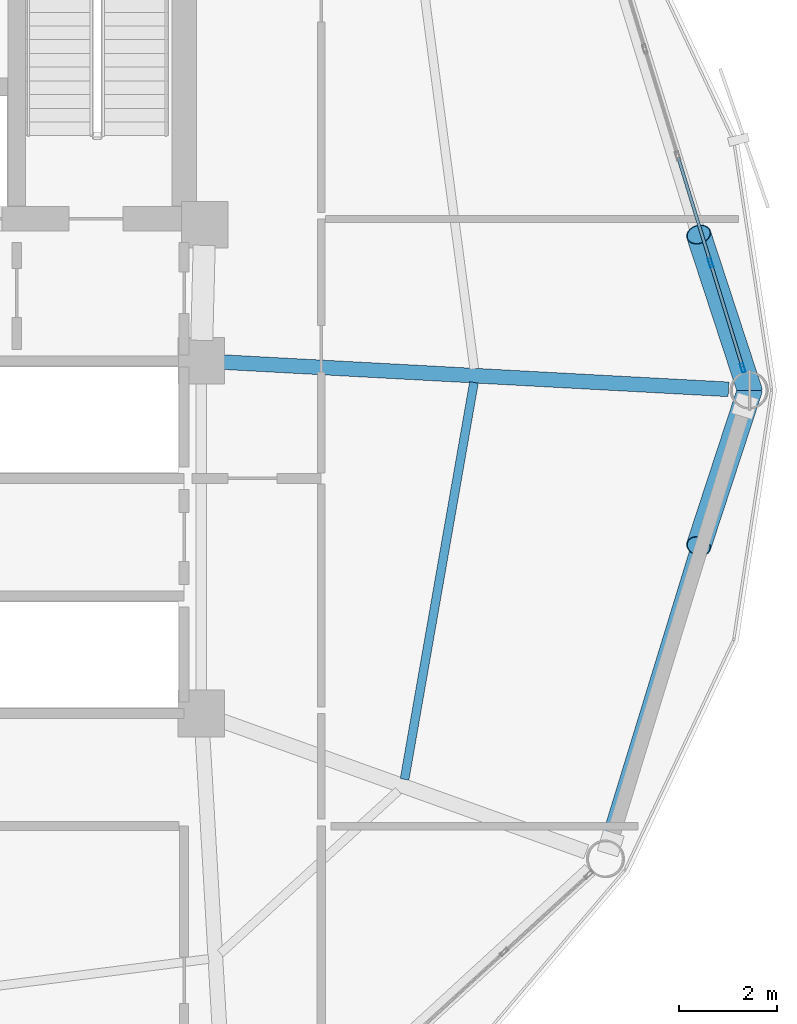
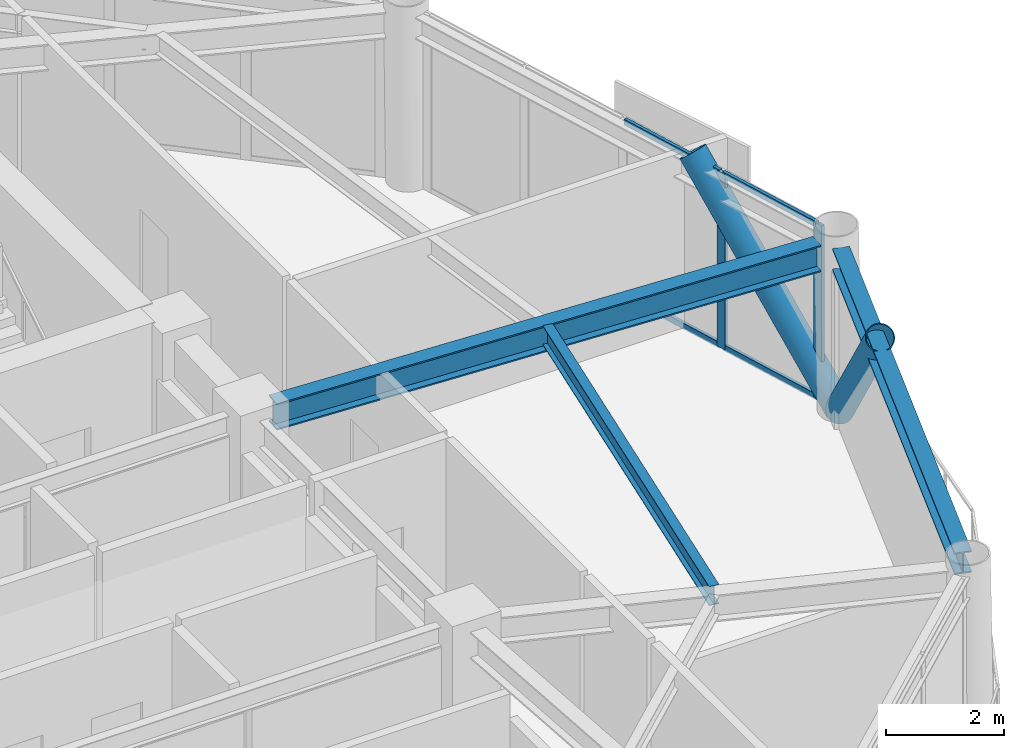
# One storey, part 15 of 27: 8 members, 3 beams, 1 element without a shape of its own.
"""IFC4 building model written with IfcOpenShell, lengths in metres."""

from ifc_helpers import new_model, si_unit, direction, frame, origin, origin_2d, place, context, subcontext, project, spatial, hollow_rectangle, hollow_circle, i_section, extrude, material, layer, layer_set, material_profile, profile_set, type_object, element, aggregate, save


model = new_model("IFC4")

# Units and contexts
model_context = context("Model", 3, precision=1e-05, world=origin(), true_north=direction((0.0, 1.0)))
body_context = subcontext(model_context, "Body", "Model", "MODEL_VIEW")
ifc_project = project(units=[si_unit("LENGTHUNIT", "METRE"), si_unit("AREAUNIT", "SQUARE_METRE"), si_unit("VOLUMEUNIT", "CUBIC_METRE"), si_unit("PLANEANGLEUNIT", "RADIAN"), si_unit("MASSUNIT", "GRAM", prefix="KILO")], contexts=[model_context])

# Site, building, storey
site_placement = place(None, origin())
site = spatial("IfcSite", under=ifc_project, at=site_placement, CompositionType="ELEMENT")
building_placement = place(site_placement, origin())
building = spatial("IfcBuilding", under=site, at=building_placement, Name="Varnakorn Sky Granary", CompositionType="ELEMENT")
storey_placement = place(building_placement, frame((0.0, 0.0, 134.39990234375)))
storey = spatial("IfcBuildingStorey", under=building, at=storey_placement, Name="L33", CompositionType="ELEMENT", Elevation=134.39990234375)

# Beams
ifc_material_1 = material(Name="Steel S355JR", Category="steel")
ifc_material_profile_1 = material_profile(ifc_material_1, i_section(OverallWidth=0.300048828125, OverallDepth=0.550048828125, WebThickness=0.014892578125, FlangeThickness=0.029052734375, at=origin_2d()), Name="HE 550 B")
ifc_profile_set_1 = profile_set([ifc_material_profile_1], Name="Steel S355JR")
beam_type_1 = type_object("IfcBeamType", Name="BM-RAD-Z3", PredefinedType="BEAM", material=ifc_profile_set_1)
beam_1_placement = place(storey_placement, frame((8.769287109375, 0.577392578125, 3.364990234375), z_axis=(0.99855131886, -0.05380765376, 0.0), x_axis=(0.05380765376, 0.99855131886, 0.0)))
element("IfcBeam", 1, at=beam_1_placement, inside=storey, type_object=beam_type_1, Name="Radial Floor Girder RG01 L33", PredefinedType="BEAM", context=body_context, shape_type="SweptSolid", body=[
    extrude(i_section(OverallWidth=0.300048828125, OverallDepth=0.550048828125, WebThickness=0.014892578125, FlangeThickness=0.029052734375, at=origin_2d()), origin(), (0.0, 0.0, 1.0), 10.363037109375),
])
ifc_material_profile_2 = material_profile(ifc_material_1, i_section(OverallWidth=0.179931640625, OverallDepth=0.39990234375, WebThickness=0.008544921875, FlangeThickness=0.013427734375, at=origin_2d()), Name="IPE 400")
ifc_profile_set_2 = profile_set([ifc_material_profile_2], Name="Steel S355JR")
beam_type_2 = type_object("IfcBeamType", Name="BM-SEC-Z3", PredefinedType="BEAM", material=ifc_profile_set_2)
beam_2_placement = place(storey_placement, frame((12.501953125, -7.9453125, 3.440185546875), z_axis=(0.172226319119, 0.985057406958, 0.0), x_axis=(-0.985057406958, 0.172226319119, 0.0)))
element("IfcBeam", 2, at=beam_2_placement, inside=storey, type_object=beam_type_2, Name="Secondary Floor Chord Beam MSB12 L33", PredefinedType="BEAM", context=body_context, shape_type="SweptSolid", body=[
    extrude(i_section(OverallWidth=0.179931640625, OverallDepth=0.39990234375, WebThickness=0.008544921875, FlangeThickness=0.013427734375, at=origin_2d()), origin(), (0.0, 0.0, 1.0), 8.22900390625),
])
ifc_material_profile_3 = material_profile(ifc_material_1, i_section(OverallWidth=0.300048828125, OverallDepth=0.449951171875, WebThickness=0.013916015625, FlangeThickness=0.02587890625, at=origin_2d()), Name="HE 450 B")
ifc_profile_set_3 = profile_set([ifc_material_profile_3], Name="Steel S355JR")
beam_type_3 = type_object("IfcBeamType", Name="BM-SPD-Z3", PredefinedType="SPANDREL", material=ifc_profile_set_3)
beam_3_placement = place(storey_placement, frame((16.662109375, -9.197998046875, 3.4150390625), z_axis=(0.293208925208, 0.956048391128, 0.0), x_axis=(-0.956048391128, 0.293208925208, 0.0)))
element("IfcBeam", 3, at=beam_3_placement, inside=storey, type_object=beam_type_3, Name="Perimeter Spandrel Ring Beam RB12 L33", PredefinedType="SPANDREL", context=body_context, shape_type="SweptSolid", body=[
    extrude(i_section(OverallWidth=0.300048828125, OverallDepth=0.449951171875, WebThickness=0.013916015625, FlangeThickness=0.02587890625, at=origin_2d()), origin(), (0.0, 0.0, 1.0), 9.2548828125),
])

# Curtain wall, members
ifc_material_2 = material(Name="Anodised Bronze Aluminium Alloy 6063-T6", Category="aluminium")
ifc_layer = layer(ifc_material_2, 0.179931640625, Name="Anodised Bronze Aluminium Alloy 6063-T6")
ifc_layer_set = layer_set([ifc_layer], Name="Anodised Bronze Aluminium Alloy 6063-T6")
curtain_wall_type = type_object("IfcCurtainWallType", Name="CW-FRM-2", PredefinedType="USERDEFINED", material=ifc_layer_set)
curtain_wall_placement = place(storey_placement, origin())
curtain_wall = element("IfcCurtainWall", 4, at=curtain_wall_placement, inside=storey, type_object=curtain_wall_type, Name="Unitised Curtain Wall CW4 CW-L33-B01", ObjectType="CURTAIN WALL", PredefinedType="USERDEFINED")
ifc_material_profile_4 = material_profile(ifc_material_2, hollow_rectangle(XDim=0.070068359375, YDim=0.18505859375, WallThickness=0.00390625, at=origin_2d()), Name="ALU MULL 70x185")
ifc_profile_set_4 = profile_set([ifc_material_profile_4], Name="Anodised Bronze Aluminium Alloy 6063-T6")
member_type_1 = type_object("IfcMemberType", Name="CW-FRM-2-MULL", PredefinedType="MULLION", material=ifc_profile_set_4)
member_1_placement = place(storey_placement, frame((18.7509765625, 2.603759765625, 0.0), z_axis=(0.0, 0.0, 1.0), x_axis=(0.956009129226, 0.293336913524, 0.0)))
member_1 = element("IfcMember", 5, at=member_1_placement, type_object=member_type_1, Name="CW4 mullion 4", PredefinedType="MULLION", context=body_context, shape_type="SweptSolid", body=[
    extrude(hollow_rectangle(XDim=0.070068359375, YDim=0.18505859375, WallThickness=0.00390625, at=origin_2d()), origin(), (0.0, 0.0, 1.0), 3.64013671875),
])
member_2_placement = place(storey_placement, frame((19.410400390625, 0.455078125, 0.0), z_axis=(0.0, 0.0, 1.0), x_axis=(0.956009129226, 0.293336913524, 0.0)))
member_2 = element("IfcMember", 6, at=member_2_placement, type_object=member_type_1, Name="CW4 mullion 5", PredefinedType="MULLION", context=body_context, shape_type="SweptSolid", body=[
    extrude(hollow_rectangle(XDim=0.070068359375, YDim=0.18505859375, WallThickness=0.00390625, at=origin_2d()), origin(), (0.0, 0.0, 1.0), 3.64013671875),
])
ifc_material_profile_5 = material_profile(ifc_material_2, hollow_rectangle(XDim=0.06494140625, YDim=0.1201171875, WallThickness=0.00341796875, at=origin_2d()), Name="ALU TRAN 65x120")
ifc_profile_set_5 = profile_set([ifc_material_profile_5], Name="Anodised Bronze Aluminium Alloy 6063-T6")
member_type_2 = type_object("IfcMemberType", Name="CW-FRM-2-TRAN", PredefinedType="USERDEFINED", material=ifc_profile_set_5)
member_3_placement = place(storey_placement, frame((18.091796875, 4.75244140625, 0.03271484375), z_axis=(0.293294848736, -0.956022035157, 0.0), x_axis=(0.956022035157, 0.293294848736, 0.0)))
member_3 = element("IfcMember", 7, at=member_3_placement, type_object=member_type_2, Name="CW4 transom 3.1", ObjectType="TRANSOM", PredefinedType="USERDEFINED", context=body_context, shape_type="SweptSolid", body=[
    extrude(hollow_rectangle(XDim=0.06494140625, YDim=0.1201171875, WallThickness=0.00341796875, at=origin_2d()), origin(), (0.0, 0.0, 1.0), 2.212646484375),
])
member_4_placement = place(storey_placement, frame((18.091796875, 4.75244140625, 3.607666015625), z_axis=(0.293294848736, -0.956022035157, 0.0), x_axis=(0.956022035157, 0.293294848736, 0.0)))
member_4 = element("IfcMember", 8, at=member_4_placement, type_object=member_type_2, Name="CW4 transom 3.2", ObjectType="TRANSOM", PredefinedType="USERDEFINED", context=body_context, shape_type="SweptSolid", body=[
    extrude(hollow_rectangle(XDim=0.06494140625, YDim=0.1201171875, WallThickness=0.00341796875, at=origin_2d()), origin(), (0.0, 0.0, 1.0), 2.212646484375),
])
member_5_placement = place(storey_placement, frame((18.76123046875, 2.5703125, 0.03271484375), z_axis=(0.293400367369, -0.955989657072, 0.0), x_axis=(0.955989657072, 0.293400367369, 0.0)))
member_5 = element("IfcMember", 9, at=member_5_placement, type_object=member_type_2, Name="CW4 transom 4.1", ObjectType="TRANSOM", PredefinedType="USERDEFINED", context=body_context, shape_type="SweptSolid", body=[
    extrude(hollow_rectangle(XDim=0.06494140625, YDim=0.1201171875, WallThickness=0.00341796875, at=origin_2d()), origin(), (0.0, 0.0, 1.0), 2.177734375),
])
member_6_placement = place(storey_placement, frame((18.76123046875, 2.5703125, 3.607666015625), z_axis=(0.293400367369, -0.955989657072, 0.0), x_axis=(0.955989657072, 0.293400367369, 0.0)))
member_6 = element("IfcMember", 10, at=member_6_placement, type_object=member_type_2, Name="CW4 transom 4.2", ObjectType="TRANSOM", PredefinedType="USERDEFINED", context=body_context, shape_type="SweptSolid", body=[
    extrude(hollow_rectangle(XDim=0.06494140625, YDim=0.1201171875, WallThickness=0.00341796875, at=origin_2d()), origin(), (0.0, 0.0, 1.0), 2.177734375),
])
aggregate(curtain_wall, [member_1, member_2, member_3, member_4, member_5, member_6])

# Members
ifc_material_3 = material(Name="Steel S460M", Category="steel")
ifc_material_profile_6 = material_profile(ifc_material_3, hollow_circle(Radius=0.25390625, WallThickness=0.01806640625, at=origin_2d()), Name="CHS 508x18")
ifc_profile_set_6 = profile_set([ifc_material_profile_6], Name="Steel S460M")
member_type_3 = type_object("IfcMemberType", Name="MB-DIAG-T2", PredefinedType="BRACE", material=ifc_profile_set_6)
for number, where, z_axis, x_axis, name in (
    (11, (19.550048828125, 0.0, 0.0), (-0.206210401222, 0.629250653168, 0.749346972981), (-0.950274814669, -0.311412550496, 0.0), "Perimeter CHS Diagrid Brace DG01 L33"),
    (12, (19.550048828125, 0.0, 0.0), (-0.206210401222, -0.629250653168, 0.749346972981), (0.950274814669, -0.311412550496, 0.0), "Perimeter CHS Diagrid Brace DG12 L33"),
):
    element("IfcMember", number, at=place(storey_placement, frame(where, z_axis=z_axis, x_axis=x_axis)), inside=storey, type_object=member_type_3, Name=name, PredefinedType="BRACE", context=body_context, shape_type="SweptSolid", body=[
        extrude(hollow_circle(Radius=0.25390625, WallThickness=0.01806640625, at=origin_2d()), origin(), (0.0, 0.0, 1.0), 5.057861328125),
    ])

save(model, "model.ifc")
